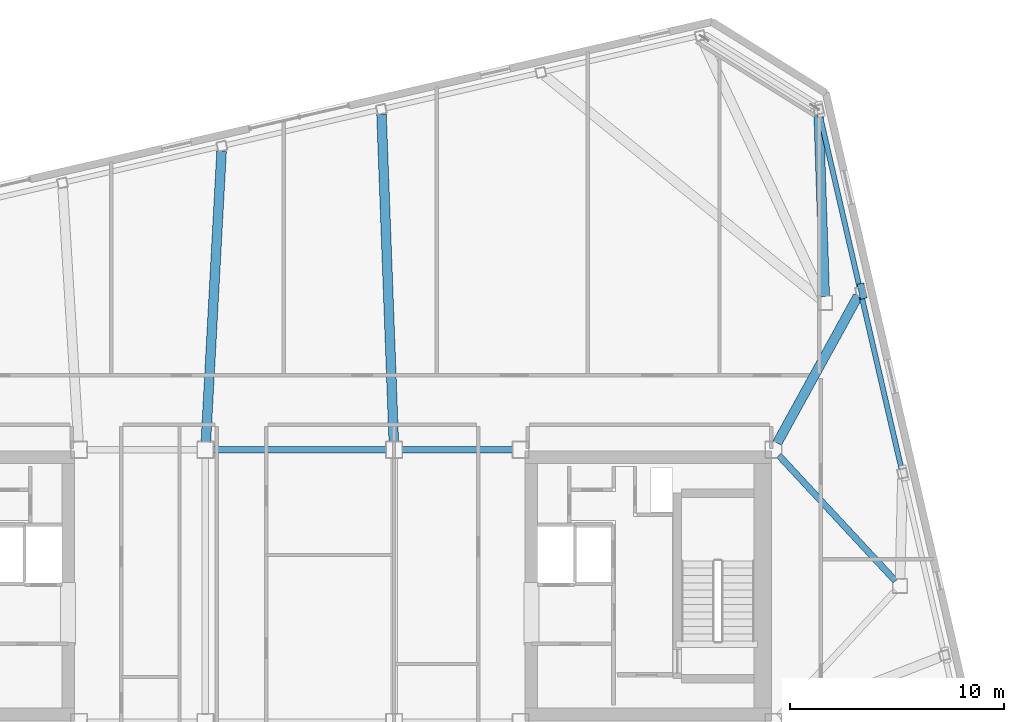
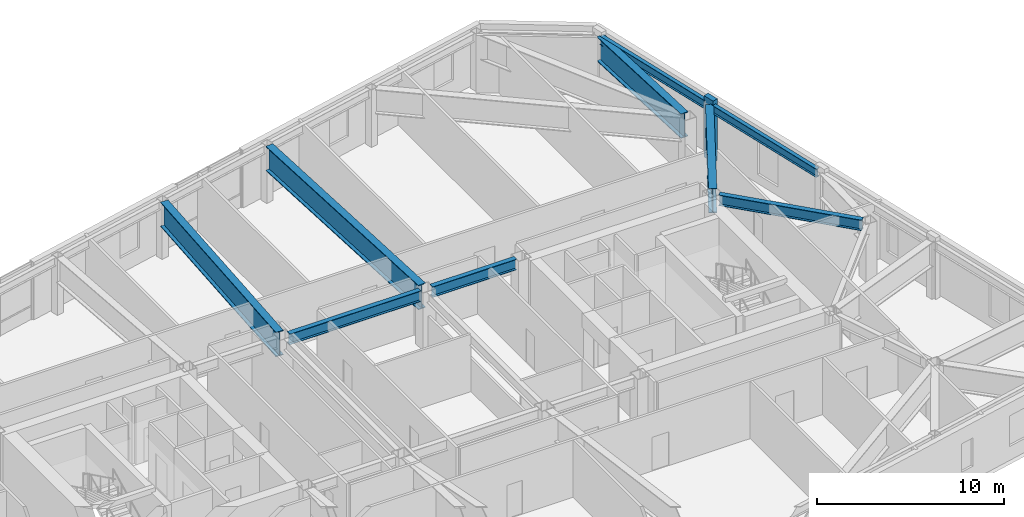
# One storey, part 13 of 23: 9 beams, 1 member.
"""IFC4 building model written with IfcOpenShell, lengths in metres."""

from ifc_helpers import new_model, si_unit, direction, frame, origin, origin_2d, place, context, subcontext, project, spatial, rectangle, i_section, extrude, material, material_profile, profile_set, type_object, element, save


model = new_model("IFC4")

# Units and contexts
model_context = context("Model", 3, precision=1e-05, world=origin(), true_north=direction((0.0, 1.0)))
body_context = subcontext(model_context, "Body", "Model", "MODEL_VIEW")
ifc_project = project(units=[si_unit("LENGTHUNIT", "METRE"), si_unit("AREAUNIT", "SQUARE_METRE"), si_unit("VOLUMEUNIT", "CUBIC_METRE"), si_unit("PLANEANGLEUNIT", "RADIAN"), si_unit("MASSUNIT", "GRAM", prefix="KILO")], contexts=[model_context])

# Site, building, storey
site_placement = place(None, origin())
site = spatial("IfcSite", under=ifc_project, at=site_placement, CompositionType="ELEMENT")
building_placement = place(site_placement, origin())
building = spatial("IfcBuilding", under=site, at=building_placement, Name="Tavrogorsk Clinical Tower", CompositionType="ELEMENT")
storey_placement = place(building_placement, frame((0.0, 0.0, 277.0)))
storey = spatial("IfcBuildingStorey", under=building, at=storey_placement, Name="L64", CompositionType="ELEMENT", Elevation=277.0)

# Member
ifc_material_1 = material(Name="Precast concrete B45 with limestone cladding", Category="masonry")
ifc_material_profile_1 = material_profile(ifc_material_1, rectangle(XDim=0.320068359375, YDim=0.719970703125, at=origin_2d()), Name="LIMESTONE-FIN-320x720")
ifc_profile_set_1 = profile_set([ifc_material_profile_1], Name="Precast concrete B45 with limestone cladding")
member_type = type_object("IfcMemberType", Name="LimestonePleatFin_320x720", PredefinedType="USERDEFINED", material=ifc_profile_set_1)
member_placement = place(storey_placement, frame((26.23583984375, 13.750244140625, 0.0), z_axis=(0.0, 0.0, 1.0), x_axis=(0.974370064785, 0.224951054344, 0.0)))
element("IfcMember", 1, at=member_placement, inside=storey, type_object=member_type, Name="L64 E Pleated Stone Fin 3", ObjectType="FIN", PredefinedType="USERDEFINED", context=body_context, shape_type="SweptSolid", body=[
    extrude(rectangle(XDim=0.320068359375, YDim=0.719970703125, at=origin_2d()), origin(), (0.0, 0.0, 1.0), 4.0),
])

# Beams
ifc_material_2 = material(Name="Structural steel S390", Category="steel")
ifc_material_profile_2 = material_profile(ifc_material_2, i_section(OverallWidth=0.300048828125, OverallDepth=0.699951171875, WebThickness=0.01708984375, FlangeThickness=0.028076171875, at=origin_2d()), Name="B-700x300x17x28")
ifc_profile_set_2 = profile_set([ifc_material_profile_2], Name="Structural steel S390")
beam_type_1 = type_object("IfcBeamType", Name="PrimaryGirder_B700", PredefinedType="USERDEFINED", material=ifc_profile_set_2)
beam_1_placement = place(storey_placement, frame((-4.0400390625, 6.35009765625, 3.389892578125), z_axis=(1.0, 0.0, 0.0), x_axis=(0.0, 1.0, 0.0)))
element("IfcBeam", 2, at=beam_1_placement, inside=storey, type_object=beam_type_1, Name="L64 Primary Spine Girder MG-04", ObjectType="GIRDER", PredefinedType="USERDEFINED", context=body_context, shape_type="SweptSolid", body=[
    extrude(i_section(OverallWidth=0.300048828125, OverallDepth=0.699951171875, WebThickness=0.01708984375, FlangeThickness=0.028076171875, at=origin_2d()), origin(), (0.0, 0.0, 1.0), 8.080078125),
])
beam_2_placement = place(storey_placement, frame((4.760009765625, 6.35009765625, 3.389892578125), z_axis=(1.0, 0.0, 0.0), x_axis=(0.0, 1.0, 0.0)))
element("IfcBeam", 3, at=beam_2_placement, inside=storey, type_object=beam_type_1, Name="L64 Primary Spine Girder MG-06", ObjectType="GIRDER", PredefinedType="USERDEFINED", context=body_context, shape_type="SweptSolid", body=[
    extrude(i_section(OverallWidth=0.300048828125, OverallDepth=0.699951171875, WebThickness=0.01708984375, FlangeThickness=0.028076171875, at=origin_2d()), origin(), (0.0, 0.0, 1.0), 5.179931640625),
])
beam_3_placement = place(storey_placement, frame((27.7890625, 0.22705078125, 3.389892578125), z_axis=(-0.680684060959, 0.732577101168, 0.0), x_axis=(-0.732577101168, -0.680684060959, 0.0)))
element("IfcBeam", 4, at=beam_3_placement, inside=storey, type_object=beam_type_1, Name="L64 Spine Link Girder OPG-8", ObjectType="GIRDER", PredefinedType="USERDEFINED", context=body_context, shape_type="SweptSolid", body=[
    extrude(i_section(OverallWidth=0.300048828125, OverallDepth=0.699951171875, WebThickness=0.01708984375, FlangeThickness=0.028076171875, at=origin_2d()), origin(), (0.0, 0.0, 1.0), 7.998046875),
])
ifc_material_3 = material(Name="Structural steel S390", Category="steel")
ifc_material_profile_3 = material_profile(ifc_material_3, i_section(OverallWidth=0.239990234375, OverallDepth=0.550048828125, WebThickness=0.013916015625, FlangeThickness=0.02197265625, at=origin_2d()), Name="B-550x240x14x22")
ifc_profile_set_3 = profile_set([ifc_material_profile_3], Name="Structural steel S390")
beam_type_2 = type_object("IfcBeamType", Name="SpandrelBeam_B550", PredefinedType="SPANDREL", material=ifc_profile_set_3)
beam_4_placement = place(storey_placement, frame((28.06494140625, 5.472412109375, 3.465087890625), z_axis=(-0.224978460613, 0.974363737144, 0.0), x_axis=(-0.974363737144, -0.224978460613, 0.0)))
element("IfcBeam", 5, at=beam_4_placement, inside=storey, type_object=beam_type_2, Name="L64 Perimeter Spandrel E3-E4", PredefinedType="SPANDREL", context=body_context, shape_type="SweptSolid", body=[
    extrude(i_section(OverallWidth=0.239990234375, OverallDepth=0.550048828125, WebThickness=0.013916015625, FlangeThickness=0.02197265625, at=origin_2d()), origin(), (0.0, 0.0, 1.0), 8.244140625),
])
beam_5_placement = place(storey_placement, frame((26.10546875, 13.959228515625, 3.465087890625), z_axis=(-0.224950345141, 0.974370228517, 0.0), x_axis=(-0.974370228517, -0.224950345141, 0.0)))
element("IfcBeam", 6, at=beam_5_placement, inside=storey, type_object=beam_type_2, Name="L64 Perimeter Spandrel E4-E5", PredefinedType="SPANDREL", context=body_context, shape_type="SweptSolid", body=[
    extrude(i_section(OverallWidth=0.239990234375, OverallDepth=0.550048828125, WebThickness=0.013916015625, FlangeThickness=0.02197265625, at=origin_2d()), origin(), (0.0, 0.0, 1.0), 8.243896484375),
])
ifc_material_4 = material(Name="Structural steel S440", Category="steel")
ifc_material_profile_4 = material_profile(ifc_material_4, i_section(OverallWidth=0.449951171875, OverallDepth=1.60009765625, WebThickness=0.031982421875, FlangeThickness=0.050048828125, at=origin_2d()), Name="DK-1600x450x32x50")
ifc_profile_set_4 = profile_set([ifc_material_profile_4], Name="Structural steel S440")
beam_type_3 = type_object("IfcBeamType", Name="TransferGirder_DK1600", PredefinedType="USERDEFINED", material=ifc_profile_set_4)
beam_6_placement = place(storey_placement, frame((4.386474609375, 6.709716796875, 2.93994140625), z_axis=(-0.037467286709, 0.999297854709, 0.0), x_axis=(-0.999297854709, -0.037467286709, 0.0)))
element("IfcBeam", 7, at=beam_6_placement, inside=storey, type_object=beam_type_3, Name="L64 Radial Floor Beam N3", ObjectType="GIRDER", PredefinedType="USERDEFINED", context=body_context, shape_type="SweptSolid", body=[
    extrude(i_section(OverallWidth=0.449951171875, OverallDepth=1.60009765625, WebThickness=0.031982421875, FlangeThickness=0.050048828125, at=origin_2d()), origin(), (0.0, 0.0, 1.0), 15.2998046875),
])
beam_7_placement = place(storey_placement, frame((-4.380615234375, 6.70947265625, 2.93994140625), z_axis=(0.053993651681, 0.998541278855, 0.0), x_axis=(-0.998541278855, 0.053993651681, 0.0)))
element("IfcBeam", 8, at=beam_7_placement, inside=storey, type_object=beam_type_3, Name="L64 Radial Floor Beam N4", ObjectType="GIRDER", PredefinedType="USERDEFINED", context=body_context, shape_type="SweptSolid", body=[
    extrude(i_section(OverallWidth=0.449951171875, OverallDepth=1.60009765625, WebThickness=0.031982421875, FlangeThickness=0.050048828125, at=origin_2d()), origin(), (0.0, 0.0, 1.0), 13.592041015625),
])
beam_8_placement = place(storey_placement, frame((22.2734375, 6.66552734375, 2.93994140625), z_axis=(0.481704510728, 0.876333706042, 0.0), x_axis=(-0.876333706042, 0.481704510728, 0.0)))
element("IfcBeam", 9, at=beam_8_placement, inside=storey, type_object=beam_type_3, Name="L64 Radial Floor Beam E4", ObjectType="GIRDER", PredefinedType="USERDEFINED", context=body_context, shape_type="SweptSolid", body=[
    extrude(i_section(OverallWidth=0.449951171875, OverallDepth=1.60009765625, WebThickness=0.031982421875, FlangeThickness=0.050048828125, at=origin_2d()), origin(), (0.0, 0.0, 1.0), 7.8310546875),
])
beam_9_placement = place(storey_placement, frame((24.48974609375, 13.509765625, 2.93994140625), z_axis=(-0.033421222185, 0.999441354912, 0.0), x_axis=(-0.999441354912, -0.033421222185, 0.0)))
element("IfcBeam", 10, at=beam_9_placement, inside=storey, type_object=beam_type_3, Name="L64 Radial Floor Beam E5", ObjectType="GIRDER", PredefinedType="USERDEFINED", context=body_context, shape_type="SweptSolid", body=[
    extrude(i_section(OverallWidth=0.449951171875, OverallDepth=1.60009765625, WebThickness=0.031982421875, FlangeThickness=0.050048828125, at=origin_2d()), origin(), (0.0, 0.0, 1.0), 8.48095703125),
])

save(model, "model.ifc")
